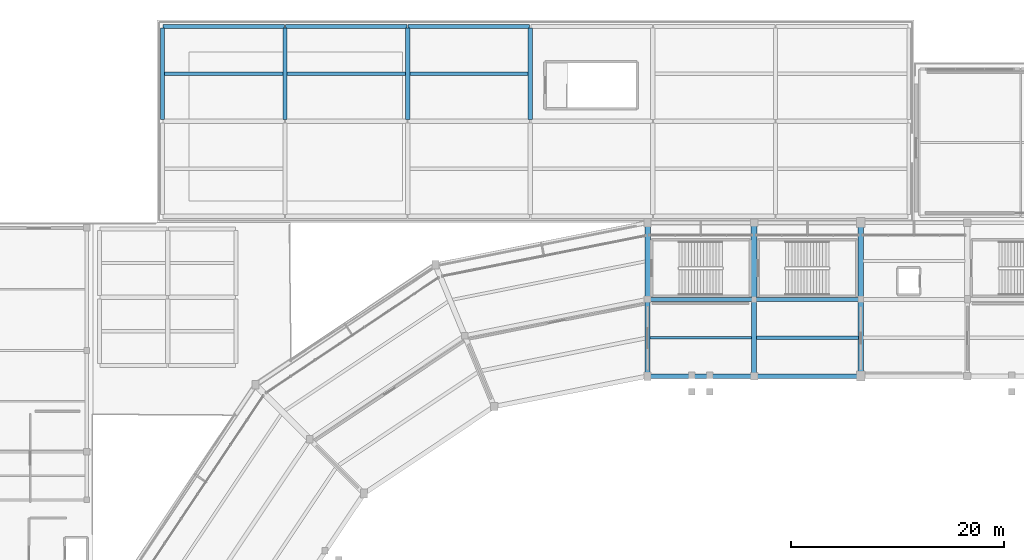
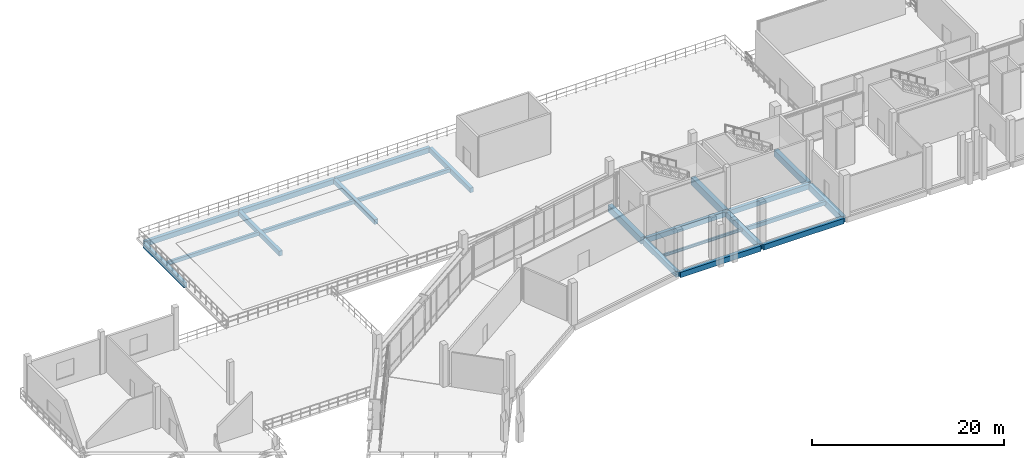
# One storey, part 48 of 111: 22 beams.
"""IFC4 building model written with IfcOpenShell, lengths in metres."""

from ifc_helpers import new_model, si_unit, direction, frame, origin, origin_2d, place, context, subcontext, project, spatial, rectangle, i_section, extrude, material, material_profile, profile_set, type_object, element, save


model = new_model("IFC4")

# Units and contexts
model_context = context("Model", 3, precision=1e-05, world=origin(), true_north=direction((0.0, 1.0)))
body_context = subcontext(model_context, "Body", "Model", "MODEL_VIEW")
ifc_project = project(units=[si_unit("LENGTHUNIT", "METRE"), si_unit("AREAUNIT", "SQUARE_METRE"), si_unit("VOLUMEUNIT", "CUBIC_METRE"), si_unit("PLANEANGLEUNIT", "RADIAN"), si_unit("MASSUNIT", "GRAM", prefix="KILO")], contexts=[model_context])

# Site, building, storey
site_placement = place(None, origin())
site = spatial("IfcSite", under=ifc_project, at=site_placement, CompositionType="ELEMENT")
building_placement = place(site_placement, origin())
building = spatial("IfcBuilding", under=site, at=building_placement, Name="Candeia Ridge Stadium", CompositionType="ELEMENT")
storey_placement = place(building_placement, frame((0.0, 0.0, 16.199951171875)))
storey = spatial("IfcBuildingStorey", under=building, at=storey_placement, Name="L03", CompositionType="ELEMENT", Elevation=16.199951171875)

# Beams
ifc_material_1 = material(Name="Concrete C45/55", Category="concrete")
ifc_material_profile_1 = material_profile(ifc_material_1, rectangle(XDim=0.449951171875, YDim=0.75, at=origin_2d()), Name="RC450x750", Category="concrete")
ifc_profile_set_1 = profile_set([ifc_material_profile_1], Name="Concrete C45/55")
beam_type_1 = type_object("IfcBeamType", Name="Bowl Radial Girder RC450x750", PredefinedType="BEAM", material=ifc_profile_set_1)
beam_1_placement = place(storey_placement, frame((71.0, 132.760009765625, -0.625), z_axis=(0.0, 1.0, 0.0), x_axis=(-1.0, 0.0, 0.0)))
element("IfcBeam", 1, at=beam_1_placement, inside=storey, type_object=beam_type_1, Name="Bowl radial girder BM-L03-0495", PredefinedType="BEAM", context=body_context, shape_type="SweptSolid", body=[
    extrude(rectangle(XDim=0.449951171875, YDim=0.75, at=origin_2d()), origin(), (0.0, 0.0, 1.0), 6.8798828125),
])
ifc_material_2 = material(Name="Steel ASTM A572 Grade 50", Category="steel")
ifc_material_profile_2 = material_profile(ifc_material_2, i_section(OverallWidth=0.205078125, OverallDepth=0.35400390625, WebThickness=0.009521484375, FlangeThickness=0.016845703125, FilletRadius=0.014892578125, at=origin_2d()), Name="W360x79", Category="steel")
ifc_profile_set_2 = profile_set([ifc_material_profile_2], Name="Steel ASTM A572 Grade 50")
beam_type_2 = type_object("IfcBeamType", Name="Concourse Secondary Joist W360x79", PredefinedType="JOIST", material=ifc_profile_set_2)
beam_2_placement = place(storey_placement, frame((80.778076171875, 136.199951171875, -0.427001953125), z_axis=(-1.0, 0.0, 0.0), x_axis=(0.0, -1.0, 0.0)))
element("IfcBeam", 2, at=beam_2_placement, inside=storey, type_object=beam_type_2, Name="Concourse secondary joist BM-L03-0582", PredefinedType="JOIST", context=body_context, shape_type="SweptSolid", body=[
    extrude(i_section(OverallWidth=0.205078125, OverallDepth=0.35400390625, WebThickness=0.009521484375, FlangeThickness=0.016845703125, FilletRadius=0.014892578125, at=origin_2d()), origin(), (0.0, 0.0, 1.0), 9.55615234375),
])
ifc_material_3 = material(Name="Concrete C40/50", Category="concrete")
ifc_material_profile_3 = material_profile(ifc_material_3, rectangle(XDim=0.300048828125, YDim=0.449951171875, at=origin_2d()), Name="RC300x450", Category="concrete")
ifc_profile_set_3 = profile_set([ifc_material_profile_3], Name="Concrete C40/50")
beam_type_3 = type_object("IfcBeamType", Name="Floor Joist RC300x450", PredefinedType="JOIST", material=ifc_profile_set_3)
beam_3_placement = place(storey_placement, frame((25.674560546875, 160.949951171875, -0.5048828125), z_axis=(1.0, 0.0, 0.0), x_axis=(0.0, 1.0, 0.0)))
element("IfcBeam", 3, at=beam_3_placement, inside=storey, type_object=beam_type_3, Name="Wing secondary joist BM-L03-1869", PredefinedType="JOIST", context=body_context, shape_type="SweptSolid", body=[
    extrude(rectangle(XDim=0.300048828125, YDim=0.449951171875, at=origin_2d()), origin(), (0.0, 0.0, 1.0), 11.1259765625),
])
for number, where, z_axis, x_axis, name in (
    (4, (37.199462890625, 160.949951171875, -0.5048828125), (1.0, 0.0, 0.0), (0.0, 1.0, 0.0), "Wing secondary joist BM-L03-1873"),
    (5, (48.699462890625, 160.949951171875, -0.5048828125), (1.0, 0.0, 0.0), (0.0, 1.0, 0.0), "Wing secondary joist BM-L03-1878"),
):
    element("IfcBeam", number, at=place(storey_placement, frame(where, z_axis=z_axis, x_axis=x_axis)), inside=storey, type_object=beam_type_3, Name=name, PredefinedType="JOIST", context=body_context, shape_type="SweptSolid", body=[
        extrude(rectangle(XDim=0.300048828125, YDim=0.449951171875, at=origin_2d()), origin(), (0.0, 0.0, 1.0), 11.10107421875),
    ])
ifc_material_profile_4 = material_profile(ifc_material_3, rectangle(XDim=0.31005859375, YDim=0.489990234375, at=origin_2d()), Name="RC310x490", Category="concrete")
ifc_profile_set_4 = profile_set([ifc_material_profile_4], Name="Concrete C40/50")
beam_type_4 = type_object("IfcBeamType", Name="Floor Joist RC310x490", PredefinedType="JOIST", material=ifc_profile_set_4)
beam_4_placement = place(storey_placement, frame((90.778076171875, 136.199951171875, -0.494873046875), z_axis=(-1.0, 0.0, 0.0), x_axis=(0.0, -1.0, 0.0)))
element("IfcBeam", 6, at=beam_4_placement, inside=storey, type_object=beam_type_4, Name="Concourse secondary joist BM-L03-0578", PredefinedType="JOIST", context=body_context, shape_type="SweptSolid", body=[
    extrude(rectangle(XDim=0.31005859375, YDim=0.489990234375, at=origin_2d()), origin(), (0.0, 0.0, 1.0), 9.55615234375),
])
ifc_material_profile_5 = material_profile(ifc_material_3, rectangle(XDim=0.389892578125, YDim=0.639892578125, at=origin_2d()), Name="RC390x640", Category="concrete")
ifc_profile_set_5 = profile_set([ifc_material_profile_5], Name="Concrete C40/50")
beam_type_5 = type_object("IfcBeamType", Name="Frame Girder RC390x640", PredefinedType="BEAM", material=ifc_profile_set_5)
for number, where, z_axis, x_axis, name in (
    (7, (90.840087890625, 139.800048828125, -0.570068359375), (-1.0, 0.0, 0.0), (0.0, -1.0, 0.0), "Concourse spine girder BM-L03-0576"),
    (8, (80.840087890625, 139.800048828125, -0.570068359375), (-1.0, 0.0, 0.0), (0.0, -1.0, 0.0), "Concourse spine girder BM-L03-0580"),
):
    element("IfcBeam", number, at=place(storey_placement, frame(where, z_axis=z_axis, x_axis=x_axis)), inside=storey, type_object=beam_type_5, Name=name, PredefinedType="BEAM", context=body_context, shape_type="SweptSolid", body=[
        extrude(rectangle(XDim=0.389892578125, YDim=0.639892578125, at=origin_2d()), origin(), (0.0, 0.0, 1.0), 9.68017578125),
    ])
ifc_material_profile_6 = material_profile(ifc_material_3, rectangle(XDim=0.39990234375, YDim=0.60009765625, at=origin_2d()), Name="RC400x600", Category="concrete")
ifc_profile_set_6 = profile_set([ifc_material_profile_6], Name="Concrete C40/50")
beam_type_6 = type_object("IfcBeamType", Name="Frame Girder RC400x600", PredefinedType="BEAM", material=ifc_profile_set_6)
for number, where, z_axis, x_axis, name in (
    (9, (37.0, 156.659912109375, -0.579833984375), (0.0, 1.0, 0.0), (-1.0, 0.0, 0.0), "Structural girder BM-L03-1855"),
    (10, (48.5, 156.659912109375, -0.579833984375), (0.0, 1.0, 0.0), (-1.0, 0.0, 0.0), "Structural girder BM-L03-1857"),
    (11, (60.0, 156.659912109375, -0.579833984375), (0.0, 1.0, 0.0), (-1.0, 0.0, 0.0), "Structural girder BM-L03-1859"),
):
    element("IfcBeam", number, at=place(storey_placement, frame(where, z_axis=z_axis, x_axis=x_axis)), inside=storey, type_object=beam_type_6, Name=name, PredefinedType="BEAM", context=body_context, shape_type="SweptSolid", body=[
        extrude(rectangle(XDim=0.39990234375, YDim=0.60009765625, at=origin_2d()), origin(), (0.0, 0.0, 1.0), 8.580078125),
    ])
ifc_material_profile_7 = material_profile(ifc_material_3, rectangle(XDim=0.419921875, YDim=0.679931640625, at=origin_2d()), Name="RC420x680", Category="concrete")
ifc_profile_set_7 = profile_set([ifc_material_profile_7], Name="Concrete C40/50")
beam_type_7 = type_object("IfcBeamType", Name="Frame Girder RC420x680", PredefinedType="BEAM", material=ifc_profile_set_7)
for number, where, z_axis, x_axis, name in (
    (12, (90.840087890625, 132.60009765625, -0.58984375), (-1.0, 0.0, 0.0), (0.0, -1.0, 0.0), "Bowl inner ring girder BM-L03-0575"),
    (13, (80.840087890625, 132.60009765625, -0.58984375), (-1.0, 0.0, 0.0), (0.0, -1.0, 0.0), "Bowl inner ring girder BM-L03-0579"),
):
    element("IfcBeam", number, at=place(storey_placement, frame(where, z_axis=z_axis, x_axis=x_axis)), inside=storey, type_object=beam_type_7, Name=name, PredefinedType="BEAM", context=body_context, shape_type="SweptSolid", body=[
        extrude(rectangle(XDim=0.419921875, YDim=0.679931640625, at=origin_2d()), origin(), (0.0, 0.0, 1.0), 9.68017578125),
    ])
ifc_material_profile_8 = material_profile(ifc_material_3, rectangle(XDim=0.4599609375, YDim=0.780029296875, at=origin_2d()), Name="RC460x780", Category="concrete")
ifc_profile_set_8 = profile_set([ifc_material_profile_8], Name="Concrete C40/50")
beam_type_8 = type_object("IfcBeamType", Name="Frame Girder RC460x780", PredefinedType="BEAM", material=ifc_profile_set_8)
beam_5_placement = place(storey_placement, frame((81.0, 132.760009765625, -0.639892578125), z_axis=(0.0, 1.0, 0.0), x_axis=(-1.0, 0.0, 0.0)))
element("IfcBeam", 14, at=beam_5_placement, inside=storey, type_object=beam_type_8, Name="Bowl radial girder BM-L03-0493", PredefinedType="BEAM", context=body_context, shape_type="SweptSolid", body=[
    extrude(rectangle(XDim=0.4599609375, YDim=0.780029296875, at=origin_2d()), origin(), (0.0, 0.0, 1.0), 6.8798828125),
])
ifc_material_profile_9 = material_profile(ifc_material_1, rectangle(XDim=0.47998046875, YDim=0.820068359375, at=origin_2d()), Name="RC480x820", Category="concrete")
ifc_profile_set_9 = profile_set([ifc_material_profile_9], Name="Concrete C45/55")
beam_type_9 = type_object("IfcBeamType", Name="Frame Girder RC480x820", PredefinedType="BEAM", material=ifc_profile_set_9)
beam_6_placement = place(storey_placement, frame((91.0, 132.760009765625, -0.659912109375), z_axis=(0.0, 1.0, 0.0), x_axis=(-1.0, 0.0, 0.0)))
element("IfcBeam", 15, at=beam_6_placement, inside=storey, type_object=beam_type_9, Name="Bowl radial girder BM-L03-0491", PredefinedType="BEAM", context=body_context, shape_type="SweptSolid", body=[
    extrude(rectangle(XDim=0.47998046875, YDim=0.820068359375, at=origin_2d()), origin(), (0.0, 0.0, 1.0), 6.8798828125),
])
ifc_material_profile_10 = material_profile(ifc_material_1, rectangle(XDim=0.5, YDim=0.85009765625, at=origin_2d()), Name="RC500x850", Category="concrete")
ifc_profile_set_10 = profile_set([ifc_material_profile_10], Name="Concrete C45/55")
beam_type_10 = type_object("IfcBeamType", Name="Frame Girder RC500x850", PredefinedType="BEAM", material=ifc_profile_set_10)
beam_7_placement = place(storey_placement, frame((91.0, 139.9599609375, -0.675048828125), z_axis=(0.0, 1.0, 0.0), x_axis=(-1.0, 0.0, 0.0)))
element("IfcBeam", 16, at=beam_7_placement, inside=storey, type_object=beam_type_10, Name="Bowl radial girder BM-L03-0492", PredefinedType="BEAM", context=body_context, shape_type="SweptSolid", body=[
    extrude(rectangle(XDim=0.5, YDim=0.85009765625, at=origin_2d()), origin(), (0.0, 0.0, 1.0), 6.880126953125),
])
ifc_material_profile_11 = material_profile(ifc_material_1, rectangle(XDim=0.52001953125, YDim=0.8798828125, at=origin_2d()), Name="RC520x880", Category="concrete")
ifc_profile_set_11 = profile_set([ifc_material_profile_11], Name="Concrete C45/55")
beam_type_11 = type_object("IfcBeamType", Name="Frame Girder RC520x880", PredefinedType="BEAM", material=ifc_profile_set_11)
beam_8_placement = place(storey_placement, frame((71.0, 139.9599609375, -0.68994140625), z_axis=(0.0, 1.0, 0.0), x_axis=(-1.0, 0.0, 0.0)))
element("IfcBeam", 17, at=beam_8_placement, inside=storey, type_object=beam_type_11, Name="Bowl radial girder BM-L03-0496", PredefinedType="BEAM", context=body_context, shape_type="SweptSolid", body=[
    extrude(rectangle(XDim=0.52001953125, YDim=0.8798828125, at=origin_2d()), origin(), (0.0, 0.0, 1.0), 6.880126953125),
])
ifc_material_profile_12 = material_profile(ifc_material_1, rectangle(XDim=0.550048828125, YDim=0.919921875, at=origin_2d()), Name="RC550x920", Category="concrete")
ifc_profile_set_12 = profile_set([ifc_material_profile_12], Name="Concrete C45/55")
beam_type_12 = type_object("IfcBeamType", Name="Frame Girder RC550x920", PredefinedType="BEAM", material=ifc_profile_set_12)
beam_9_placement = place(storey_placement, frame((81.0, 139.9599609375, -0.7099609375), z_axis=(0.0, 1.0, 0.0), x_axis=(-1.0, 0.0, 0.0)))
element("IfcBeam", 18, at=beam_9_placement, inside=storey, type_object=beam_type_12, Name="Bowl radial girder BM-L03-0494", PredefinedType="BEAM", context=body_context, shape_type="SweptSolid", body=[
    extrude(rectangle(XDim=0.550048828125, YDim=0.919921875, at=origin_2d()), origin(), (0.0, 0.0, 1.0), 6.880126953125),
])
ifc_material_profile_13 = material_profile(ifc_material_3, rectangle(XDim=0.35009765625, YDim=0.64990234375, at=origin_2d()), Name="RC350x650", Category="concrete")
ifc_profile_set_13 = profile_set([ifc_material_profile_13], Name="Concrete C40/50")
beam_type_13 = type_object("IfcBeamType", Name="Spandrel Beam RC350x650", PredefinedType="SPANDREL", material=ifc_profile_set_13)
beam_10_placement = place(storey_placement, frame((25.5, 156.659912109375, -0.60498046875), z_axis=(0.0, 1.0, 0.0), x_axis=(-1.0, 0.0, 0.0)))
element("IfcBeam", 19, at=beam_10_placement, inside=storey, type_object=beam_type_13, Name="Structural girder BM-L03-1853", PredefinedType="SPANDREL", context=body_context, shape_type="SweptSolid", body=[
    extrude(rectangle(XDim=0.35009765625, YDim=0.64990234375, at=origin_2d()), origin(), (0.0, 0.0, 1.0), 8.580078125),
])
ifc_material_profile_14 = material_profile(ifc_material_3, rectangle(XDim=0.39990234375, YDim=0.64990234375, at=origin_2d()), Name="RC400x650", Category="concrete")
ifc_profile_set_14 = profile_set([ifc_material_profile_14], Name="Concrete C40/50")
beam_type_14 = type_object("IfcBeamType", Name="Wing Primary Girder RC400x650", PredefinedType="BEAM", material=ifc_profile_set_14)
for number, where, z_axis, x_axis, name in (
    (20, (25.550048828125, 165.39990234375, -0.60498046875), (1.0, 0.0, 0.0), (0.0, 1.0, 0.0), "Structural girder BM-L03-1870"),
    (21, (37.050048828125, 165.39990234375, -0.60498046875), (1.0, 0.0, 0.0), (0.0, 1.0, 0.0), "Structural girder BM-L03-1874"),
    (22, (48.550048828125, 165.39990234375, -0.60498046875), (1.0, 0.0, 0.0), (0.0, 1.0, 0.0), "Structural girder BM-L03-1879"),
):
    element("IfcBeam", number, at=place(storey_placement, frame(where, z_axis=z_axis, x_axis=x_axis)), inside=storey, type_object=beam_type_14, Name=name, PredefinedType="BEAM", context=body_context, shape_type="SweptSolid", body=[
        extrude(rectangle(XDim=0.39990234375, YDim=0.64990234375, at=origin_2d()), origin(), (0.0, 0.0, 1.0), 11.39990234375),
    ])

save(model, "model.ifc")
